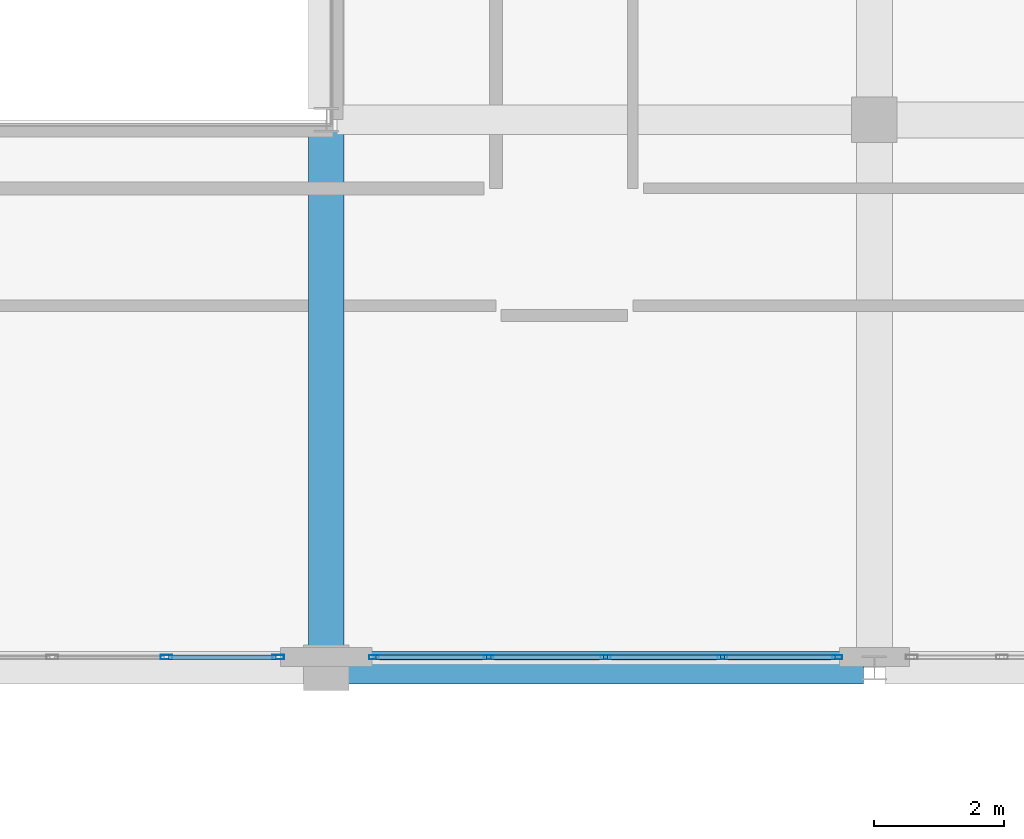
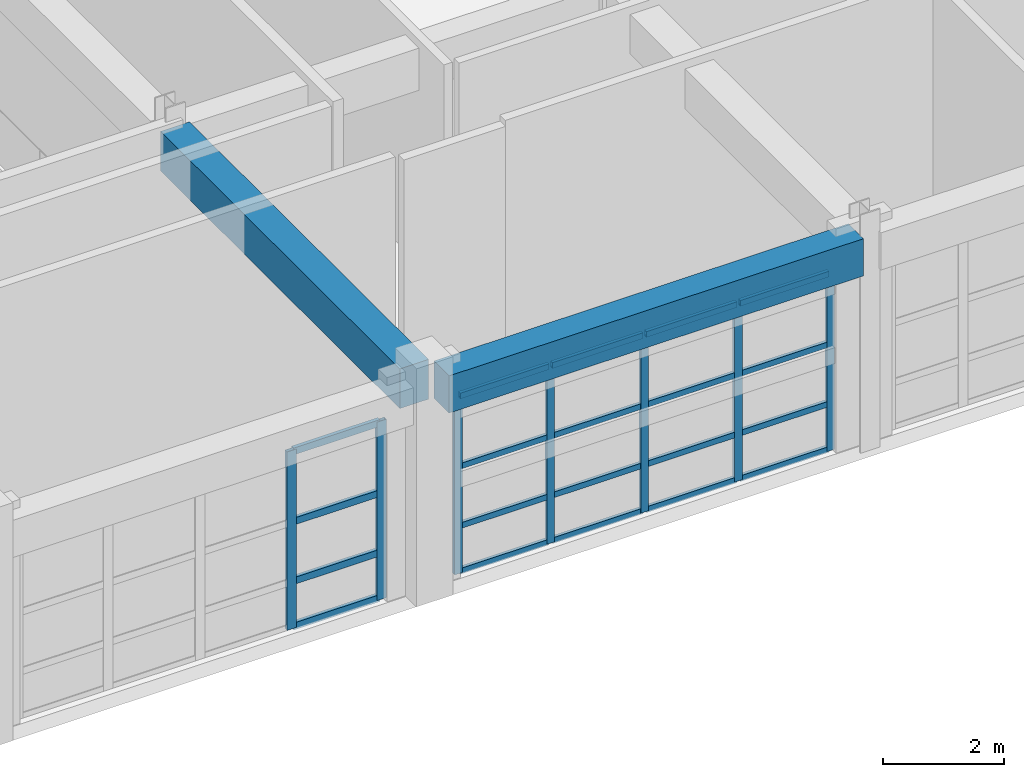
# One storey, part 53 of 123: 27 members, 2 beams, 2 elements without a shape of their own.
"""IFC4 building model written with IfcOpenShell, lengths in metres."""

from ifc_helpers import new_model, si_unit, direction, frame, origin, origin_2d, place, context, subcontext, project, spatial, rectangle, hollow_rectangle, extrude, material, layer, layer_set, material_profile, profile_set, type_object, element, aggregate, save


model = new_model("IFC4")

# Units and contexts
model_context = context("Model", 3, precision=1e-05, world=origin(), true_north=direction((0.0, 1.0)))
body_context = subcontext(model_context, "Body", "Model", "MODEL_VIEW")
ifc_project = project(units=[si_unit("LENGTHUNIT", "METRE"), si_unit("AREAUNIT", "SQUARE_METRE"), si_unit("VOLUMEUNIT", "CUBIC_METRE"), si_unit("PLANEANGLEUNIT", "RADIAN"), si_unit("MASSUNIT", "GRAM", prefix="KILO")], contexts=[model_context])

# Site, building, storey
site_placement = place(None, origin())
site = spatial("IfcSite", under=ifc_project, at=site_placement, CompositionType="ELEMENT")
building_placement = place(site_placement, origin())
building = spatial("IfcBuilding", under=site, at=building_placement, Name="Quendrovan Civic Courthouse", CompositionType="ELEMENT")
storey_placement = place(building_placement, frame((0.0, 0.0, 5.39990234375)))
storey = spatial("IfcBuildingStorey", under=building, at=storey_placement, Name="L02", CompositionType="ELEMENT", Elevation=5.39990234375)

# Beams
ifc_material_1 = material(Name="Concrete C40/50", Category="concrete")
ifc_material_profile_1 = material_profile(ifc_material_1, rectangle(XDim=0.5, YDim=0.75, at=origin_2d()), Name="RC-BM-500x750")
ifc_profile_set_1 = profile_set([ifc_material_profile_1], Name="Concrete C40/50")
beam_type_1 = type_object("IfcBeamType", Name="BM-RC750", PredefinedType="SPANDREL", material=ifc_profile_set_1)
beam_1_placement = place(storey_placement, frame((84.330078125, 64.800048828125, 3.985107421875), z_axis=(1.0, 0.0, 0.0), x_axis=(0.0, 1.0, 0.0)))
element("IfcBeam", 1, at=beam_1_placement, inside=storey, type_object=beam_type_1, Name="L02 Girder X0536", PredefinedType="SPANDREL", context=body_context, shape_type="SweptSolid", body=[
    extrude(rectangle(XDim=0.5, YDim=0.75, at=origin_2d()), origin(), (0.0, 0.0, 1.0), 7.90283203125),
])
ifc_material_profile_2 = material_profile(ifc_material_1, rectangle(XDim=0.550048828125, YDim=0.800048828125, at=origin_2d()), Name="RC-BM-550x800")
ifc_profile_set_2 = profile_set([ifc_material_profile_2], Name="Concrete C40/50")
beam_type_2 = type_object("IfcBeamType", Name="BM-RC800", PredefinedType="BEAM", material=ifc_profile_set_2)
beam_2_placement = place(storey_placement, frame((84.0, 65.1298828125, 3.960205078125), z_axis=(0.0, 1.0, 0.0), x_axis=(-1.0, 0.0, 0.0)))
element("IfcBeam", 2, at=beam_2_placement, inside=storey, type_object=beam_type_2, Name="L02 Girder Y0670", PredefinedType="BEAM", context=body_context, shape_type="SweptSolid", body=[
    extrude(rectangle(XDim=0.550048828125, YDim=0.800048828125, at=origin_2d()), origin(), (0.0, 0.0, 1.0), 7.904052734375),
])

# Curtain wall, members
ifc_material_2 = material(Name="Bronze anodised aluminium and low-E glass", Category="aluminium")
ifc_layer_1 = layer(ifc_material_2, 0.179931640625, Name="Bronze anodised aluminium and low-E glass")
ifc_layer_set_1 = layer_set([ifc_layer_1], Name="Bronze anodised aluminium and low-E glass")
curtain_wall_type_1 = type_object("IfcCurtainWallType", Name="CW-U70x36", PredefinedType="USERDEFINED", material=ifc_layer_set_1)
curtain_wall_1_placement = place(storey_placement, origin())
curtain_wall_1 = element("IfcCurtainWall", 3, at=curtain_wall_1_placement, inside=storey, type_object=curtain_wall_type_1, Name="L02 Unitised Hurricane Curtain Wall CW-108", ObjectType="UNITISED CURTAIN WALL", PredefinedType="USERDEFINED")
ifc_material_3 = material(Name="Bronze anodised aluminium", Category="aluminium")
ifc_material_profile_3 = material_profile(ifc_material_3, hollow_rectangle(XDim=0.070068359375, YDim=0.179931640625, WallThickness=0.00390625, at=origin_2d()), Name="CW-MULL-70x180")
ifc_profile_set_3 = profile_set([ifc_material_profile_3], Name="Bronze anodised aluminium")
member_type_1 = type_object("IfcMemberType", Name="CW-MULL-A", PredefinedType="MULLION", material=ifc_profile_set_3)
member_1_placement = place(storey_placement, frame((83.264892578125, 64.965087890625, 0.0), z_axis=(0.0, 0.0, 1.0), x_axis=(0.0, -1.0, 0.0)))
member_1 = element("IfcMember", 4, at=member_1_placement, type_object=member_type_1, Name="CW-108 mullion 1", PredefinedType="MULLION", context=body_context, shape_type="SweptSolid", body=[
    extrude(hollow_rectangle(XDim=0.070068359375, YDim=0.179931640625, WallThickness=0.00390625, at=origin_2d()), origin(), (0.0, 0.0, 1.0), 3.60009765625),
])
member_2_placement = place(storey_placement, frame((81.550048828125, 64.965087890625, 0.0), z_axis=(0.0, 0.0, 1.0), x_axis=(0.0, -1.0, 0.0)))
member_2 = element("IfcMember", 5, at=member_2_placement, type_object=member_type_1, Name="CW-108 mullion 2", PredefinedType="MULLION", context=body_context, shape_type="SweptSolid", body=[
    extrude(hollow_rectangle(XDim=0.070068359375, YDim=0.179931640625, WallThickness=0.00390625, at=origin_2d()), origin(), (0.0, 0.0, 1.0), 3.60009765625),
])

ifc_layer_2 = layer(ifc_material_2, 0.179931640625, Name="Bronze anodised aluminium and low-E glass")
ifc_layer_set_2 = layer_set([ifc_layer_2], Name="Bronze anodised aluminium and low-E glass")
curtain_wall_type_2 = type_object("IfcCurtainWallType", Name="CW-U72x36", PredefinedType="USERDEFINED", material=ifc_layer_set_2)
curtain_wall_2_placement = place(storey_placement, origin())
curtain_wall_2 = element("IfcCurtainWall", 6, at=curtain_wall_2_placement, inside=storey, type_object=curtain_wall_type_2, Name="L02 Unitised Hurricane Curtain Wall CW-107", ObjectType="UNITISED CURTAIN WALL", PredefinedType="USERDEFINED")
ifc_material_profile_4 = material_profile(ifc_material_3, hollow_rectangle(XDim=0.06494140625, YDim=0.14990234375, WallThickness=0.00390625, at=origin_2d()), Name="CW-MULL-65x150")
ifc_profile_set_4 = profile_set([ifc_material_profile_4], Name="Bronze anodised aluminium")
member_type_2 = type_object("IfcMemberType", Name="CW-MULL-B", PredefinedType="MULLION", material=ifc_profile_set_4)
member_3_placement = place(storey_placement, frame((91.83056640625, 64.965087890625, 0.0), z_axis=(0.0, 0.0, 1.0), x_axis=(0.0, -1.0, 0.0)))
member_3 = element("IfcMember", 7, at=member_3_placement, type_object=member_type_2, Name="CW-107 mullion 1", PredefinedType="MULLION", context=body_context, shape_type="SweptSolid", body=[
    extrude(hollow_rectangle(XDim=0.06494140625, YDim=0.14990234375, WallThickness=0.00390625, at=origin_2d()), origin(), (0.0, 0.0, 1.0), 3.60009765625),
])
member_4_placement = place(storey_placement, frame((90.072265625, 64.965087890625, 0.0), z_axis=(0.0, 0.0, 1.0), x_axis=(0.0, -1.0, 0.0)))
member_4 = element("IfcMember", 8, at=member_4_placement, type_object=member_type_2, Name="CW-107 mullion 2", PredefinedType="MULLION", context=body_context, shape_type="SweptSolid", body=[
    extrude(hollow_rectangle(XDim=0.06494140625, YDim=0.14990234375, WallThickness=0.00390625, at=origin_2d()), origin(), (0.0, 0.0, 1.0), 3.60009765625),
])
member_5_placement = place(storey_placement, frame((88.281494140625, 64.965087890625, 0.0), z_axis=(0.0, 0.0, 1.0), x_axis=(0.0, -1.0, 0.0)))
member_5 = element("IfcMember", 9, at=member_5_placement, type_object=member_type_2, Name="CW-107 mullion 3", PredefinedType="MULLION", context=body_context, shape_type="SweptSolid", body=[
    extrude(hollow_rectangle(XDim=0.06494140625, YDim=0.14990234375, WallThickness=0.00390625, at=origin_2d()), origin(), (0.0, 0.0, 1.0), 3.60009765625),
])
member_6_placement = place(storey_placement, frame((86.49072265625, 64.965087890625, 0.0), z_axis=(0.0, 0.0, 1.0), x_axis=(0.0, -1.0, 0.0)))
member_6 = element("IfcMember", 10, at=member_6_placement, type_object=member_type_2, Name="CW-107 mullion 4", PredefinedType="MULLION", context=body_context, shape_type="SweptSolid", body=[
    extrude(hollow_rectangle(XDim=0.06494140625, YDim=0.14990234375, WallThickness=0.00390625, at=origin_2d()), origin(), (0.0, 0.0, 1.0), 3.60009765625),
])
member_7_placement = place(storey_placement, frame((84.732421875, 64.965087890625, 0.0), z_axis=(0.0, 0.0, 1.0), x_axis=(0.0, -1.0, 0.0)))
member_7 = element("IfcMember", 11, at=member_7_placement, type_object=member_type_2, Name="CW-107 mullion 5", PredefinedType="MULLION", context=body_context, shape_type="SweptSolid", body=[
    extrude(hollow_rectangle(XDim=0.06494140625, YDim=0.14990234375, WallThickness=0.00390625, at=origin_2d()), origin(), (0.0, 0.0, 1.0), 3.60009765625),
])

# Member
ifc_material_profile_5 = material_profile(ifc_material_3, hollow_rectangle(XDim=0.070068359375, YDim=0.139892578125, WallThickness=0.00390625, at=origin_2d()), Name="CW-TRAN-70x140")
ifc_profile_set_5 = profile_set([ifc_material_profile_5], Name="Bronze anodised aluminium")
member_type_3 = type_object("IfcMemberType", Name="CW-TRAN-A", PredefinedType="USERDEFINED", material=ifc_profile_set_5)
member_8_placement = place(storey_placement, frame((83.22998046875, 64.965087890625, 0.03515625), z_axis=(-1.0, 0.0, 0.0), x_axis=(0.0, -1.0, 0.0)))
member_8 = element("IfcMember", 12, at=member_8_placement, type_object=member_type_3, Name="CW-108 transom 1.1", ObjectType="TRANSOM", PredefinedType="USERDEFINED", context=body_context, shape_type="SweptSolid", body=[
    extrude(hollow_rectangle(XDim=0.070068359375, YDim=0.139892578125, WallThickness=0.00390625, at=origin_2d()), origin(), (0.0, 0.0, 1.0), 1.64501953125),
])

member_9_placement = place(storey_placement, frame((83.22998046875, 64.965087890625, 0.9501953125), z_axis=(-1.0, 0.0, 0.0), x_axis=(0.0, -1.0, 0.0)))
member_9 = element("IfcMember", 13, at=member_9_placement, type_object=member_type_3, Name="CW-108 transom 1.2", ObjectType="TRANSOM", PredefinedType="USERDEFINED", context=body_context, shape_type="SweptSolid", body=[
    extrude(hollow_rectangle(XDim=0.070068359375, YDim=0.139892578125, WallThickness=0.00390625, at=origin_2d()), origin(), (0.0, 0.0, 1.0), 1.64501953125),
])

member_10_placement = place(storey_placement, frame((83.22998046875, 64.965087890625, 2.150146484375), z_axis=(-1.0, 0.0, 0.0), x_axis=(0.0, -1.0, 0.0)))
member_10 = element("IfcMember", 14, at=member_10_placement, type_object=member_type_3, Name="CW-108 transom 1.3", ObjectType="TRANSOM", PredefinedType="USERDEFINED", context=body_context, shape_type="SweptSolid", body=[
    extrude(hollow_rectangle(XDim=0.070068359375, YDim=0.139892578125, WallThickness=0.00390625, at=origin_2d()), origin(), (0.0, 0.0, 1.0), 1.64501953125),
])

member_11_placement = place(storey_placement, frame((83.22998046875, 64.965087890625, 3.565185546875), z_axis=(-1.0, 0.0, 0.0), x_axis=(0.0, -1.0, 0.0)))
member_11 = element("IfcMember", 15, at=member_11_placement, type_object=member_type_3, Name="CW-108 transom 1.4", ObjectType="TRANSOM", PredefinedType="USERDEFINED", context=body_context, shape_type="SweptSolid", body=[
    extrude(hollow_rectangle(XDim=0.070068359375, YDim=0.139892578125, WallThickness=0.00390625, at=origin_2d()), origin(), (0.0, 0.0, 1.0), 1.64501953125),
])

aggregate(curtain_wall_1, [member_1, member_2, member_8, member_9, member_10, member_11])

ifc_material_profile_6 = material_profile(ifc_material_3, hollow_rectangle(XDim=0.06494140625, YDim=0.114990234375, WallThickness=0.00390625, at=origin_2d()), Name="CW-TRAN-65x115")
ifc_profile_set_6 = profile_set([ifc_material_profile_6], Name="Bronze anodised aluminium")
member_type_4 = type_object("IfcMemberType", Name="CW-TRAN-B", PredefinedType="USERDEFINED", material=ifc_profile_set_6)
member_12_placement = place(storey_placement, frame((91.798095703125, 64.965087890625, 0.03271484375), z_axis=(-1.0, 0.0, 0.0), x_axis=(0.0, -1.0, 0.0)))
member_12 = element("IfcMember", 16, at=member_12_placement, type_object=member_type_4, Name="CW-107 transom 1.1", ObjectType="TRANSOM", PredefinedType="USERDEFINED", context=body_context, shape_type="SweptSolid", body=[
    extrude(hollow_rectangle(XDim=0.06494140625, YDim=0.114990234375, WallThickness=0.00390625, at=origin_2d()), origin(), (0.0, 0.0, 1.0), 1.693359375),
])

member_13_placement = place(storey_placement, frame((91.798095703125, 64.965087890625, 0.9501953125), z_axis=(-1.0, 0.0, 0.0), x_axis=(0.0, -1.0, 0.0)))
member_13 = element("IfcMember", 17, at=member_13_placement, type_object=member_type_4, Name="CW-107 transom 1.2", ObjectType="TRANSOM", PredefinedType="USERDEFINED", context=body_context, shape_type="SweptSolid", body=[
    extrude(hollow_rectangle(XDim=0.06494140625, YDim=0.114990234375, WallThickness=0.00390625, at=origin_2d()), origin(), (0.0, 0.0, 1.0), 1.693359375),
])

member_14_placement = place(storey_placement, frame((91.798095703125, 64.965087890625, 2.150146484375), z_axis=(-1.0, 0.0, 0.0), x_axis=(0.0, -1.0, 0.0)))
member_14 = element("IfcMember", 18, at=member_14_placement, type_object=member_type_4, Name="CW-107 transom 1.3", ObjectType="TRANSOM", PredefinedType="USERDEFINED", context=body_context, shape_type="SweptSolid", body=[
    extrude(hollow_rectangle(XDim=0.06494140625, YDim=0.114990234375, WallThickness=0.00390625, at=origin_2d()), origin(), (0.0, 0.0, 1.0), 1.693359375),
])

member_15_placement = place(storey_placement, frame((91.798095703125, 64.965087890625, 3.567626953125), z_axis=(-1.0, 0.0, 0.0), x_axis=(0.0, -1.0, 0.0)))
member_15 = element("IfcMember", 19, at=member_15_placement, type_object=member_type_4, Name="CW-107 transom 1.4", ObjectType="TRANSOM", PredefinedType="USERDEFINED", context=body_context, shape_type="SweptSolid", body=[
    extrude(hollow_rectangle(XDim=0.06494140625, YDim=0.114990234375, WallThickness=0.00390625, at=origin_2d()), origin(), (0.0, 0.0, 1.0), 1.693359375),
])

member_16_placement = place(storey_placement, frame((90.039794921875, 64.965087890625, 0.03271484375), z_axis=(-1.0, 0.0, 0.0), x_axis=(0.0, -1.0, 0.0)))
member_16 = element("IfcMember", 20, at=member_16_placement, type_object=member_type_4, Name="CW-107 transom 2.1", ObjectType="TRANSOM", PredefinedType="USERDEFINED", context=body_context, shape_type="SweptSolid", body=[
    extrude(hollow_rectangle(XDim=0.06494140625, YDim=0.114990234375, WallThickness=0.00390625, at=origin_2d()), origin(), (0.0, 0.0, 1.0), 1.725830078125),
])

member_17_placement = place(storey_placement, frame((90.039794921875, 64.965087890625, 0.9501953125), z_axis=(-1.0, 0.0, 0.0), x_axis=(0.0, -1.0, 0.0)))
member_17 = element("IfcMember", 21, at=member_17_placement, type_object=member_type_4, Name="CW-107 transom 2.2", ObjectType="TRANSOM", PredefinedType="USERDEFINED", context=body_context, shape_type="SweptSolid", body=[
    extrude(hollow_rectangle(XDim=0.06494140625, YDim=0.114990234375, WallThickness=0.00390625, at=origin_2d()), origin(), (0.0, 0.0, 1.0), 1.725830078125),
])

member_18_placement = place(storey_placement, frame((90.039794921875, 64.965087890625, 2.150146484375), z_axis=(-1.0, 0.0, 0.0), x_axis=(0.0, -1.0, 0.0)))
member_18 = element("IfcMember", 22, at=member_18_placement, type_object=member_type_4, Name="CW-107 transom 2.3", ObjectType="TRANSOM", PredefinedType="USERDEFINED", context=body_context, shape_type="SweptSolid", body=[
    extrude(hollow_rectangle(XDim=0.06494140625, YDim=0.114990234375, WallThickness=0.00390625, at=origin_2d()), origin(), (0.0, 0.0, 1.0), 1.725830078125),
])

member_19_placement = place(storey_placement, frame((90.039794921875, 64.965087890625, 3.567626953125), z_axis=(-1.0, 0.0, 0.0), x_axis=(0.0, -1.0, 0.0)))
member_19 = element("IfcMember", 23, at=member_19_placement, type_object=member_type_4, Name="CW-107 transom 2.4", ObjectType="TRANSOM", PredefinedType="USERDEFINED", context=body_context, shape_type="SweptSolid", body=[
    extrude(hollow_rectangle(XDim=0.06494140625, YDim=0.114990234375, WallThickness=0.00390625, at=origin_2d()), origin(), (0.0, 0.0, 1.0), 1.725830078125),
])

member_20_placement = place(storey_placement, frame((88.2490234375, 64.965087890625, 0.03271484375), z_axis=(-1.0, 0.0, 0.0), x_axis=(0.0, -1.0, 0.0)))
member_20 = element("IfcMember", 24, at=member_20_placement, type_object=member_type_4, Name="CW-107 transom 3.1", ObjectType="TRANSOM", PredefinedType="USERDEFINED", context=body_context, shape_type="SweptSolid", body=[
    extrude(hollow_rectangle(XDim=0.06494140625, YDim=0.114990234375, WallThickness=0.00390625, at=origin_2d()), origin(), (0.0, 0.0, 1.0), 1.725830078125),
])

member_21_placement = place(storey_placement, frame((88.2490234375, 64.965087890625, 0.9501953125), z_axis=(-1.0, 0.0, 0.0), x_axis=(0.0, -1.0, 0.0)))
member_21 = element("IfcMember", 25, at=member_21_placement, type_object=member_type_4, Name="CW-107 transom 3.2", ObjectType="TRANSOM", PredefinedType="USERDEFINED", context=body_context, shape_type="SweptSolid", body=[
    extrude(hollow_rectangle(XDim=0.06494140625, YDim=0.114990234375, WallThickness=0.00390625, at=origin_2d()), origin(), (0.0, 0.0, 1.0), 1.725830078125),
])

member_22_placement = place(storey_placement, frame((88.2490234375, 64.965087890625, 2.150146484375), z_axis=(-1.0, 0.0, 0.0), x_axis=(0.0, -1.0, 0.0)))
member_22 = element("IfcMember", 26, at=member_22_placement, type_object=member_type_4, Name="CW-107 transom 3.3", ObjectType="TRANSOM", PredefinedType="USERDEFINED", context=body_context, shape_type="SweptSolid", body=[
    extrude(hollow_rectangle(XDim=0.06494140625, YDim=0.114990234375, WallThickness=0.00390625, at=origin_2d()), origin(), (0.0, 0.0, 1.0), 1.725830078125),
])

member_23_placement = place(storey_placement, frame((88.2490234375, 64.965087890625, 3.567626953125), z_axis=(-1.0, 0.0, 0.0), x_axis=(0.0, -1.0, 0.0)))
member_23 = element("IfcMember", 27, at=member_23_placement, type_object=member_type_4, Name="CW-107 transom 3.4", ObjectType="TRANSOM", PredefinedType="USERDEFINED", context=body_context, shape_type="SweptSolid", body=[
    extrude(hollow_rectangle(XDim=0.06494140625, YDim=0.114990234375, WallThickness=0.00390625, at=origin_2d()), origin(), (0.0, 0.0, 1.0), 1.725830078125),
])

member_24_placement = place(storey_placement, frame((86.458251953125, 64.965087890625, 0.03271484375), z_axis=(-1.0, 0.0, 0.0), x_axis=(0.0, -1.0, 0.0)))
member_24 = element("IfcMember", 28, at=member_24_placement, type_object=member_type_4, Name="CW-107 transom 4.1", ObjectType="TRANSOM", PredefinedType="USERDEFINED", context=body_context, shape_type="SweptSolid", body=[
    extrude(hollow_rectangle(XDim=0.06494140625, YDim=0.114990234375, WallThickness=0.00390625, at=origin_2d()), origin(), (0.0, 0.0, 1.0), 1.693359375),
])

member_25_placement = place(storey_placement, frame((86.458251953125, 64.965087890625, 0.9501953125), z_axis=(-1.0, 0.0, 0.0), x_axis=(0.0, -1.0, 0.0)))
member_25 = element("IfcMember", 29, at=member_25_placement, type_object=member_type_4, Name="CW-107 transom 4.2", ObjectType="TRANSOM", PredefinedType="USERDEFINED", context=body_context, shape_type="SweptSolid", body=[
    extrude(hollow_rectangle(XDim=0.06494140625, YDim=0.114990234375, WallThickness=0.00390625, at=origin_2d()), origin(), (0.0, 0.0, 1.0), 1.693359375),
])

member_26_placement = place(storey_placement, frame((86.458251953125, 64.965087890625, 2.150146484375), z_axis=(-1.0, 0.0, 0.0), x_axis=(0.0, -1.0, 0.0)))
member_26 = element("IfcMember", 30, at=member_26_placement, type_object=member_type_4, Name="CW-107 transom 4.3", ObjectType="TRANSOM", PredefinedType="USERDEFINED", context=body_context, shape_type="SweptSolid", body=[
    extrude(hollow_rectangle(XDim=0.06494140625, YDim=0.114990234375, WallThickness=0.00390625, at=origin_2d()), origin(), (0.0, 0.0, 1.0), 1.693359375),
])

member_27_placement = place(storey_placement, frame((86.458251953125, 64.965087890625, 3.567626953125), z_axis=(-1.0, 0.0, 0.0), x_axis=(0.0, -1.0, 0.0)))
member_27 = element("IfcMember", 31, at=member_27_placement, type_object=member_type_4, Name="CW-107 transom 4.4", ObjectType="TRANSOM", PredefinedType="USERDEFINED", context=body_context, shape_type="SweptSolid", body=[
    extrude(hollow_rectangle(XDim=0.06494140625, YDim=0.114990234375, WallThickness=0.00390625, at=origin_2d()), origin(), (0.0, 0.0, 1.0), 1.693359375),
])

aggregate(curtain_wall_2, [member_3, member_4, member_5, member_6, member_7, member_12, member_13, member_14, member_15, member_16, member_17, member_18, member_19, member_20, member_21, member_22, member_23, member_24, member_25, member_26, member_27])

save(model, "model.ifc")
